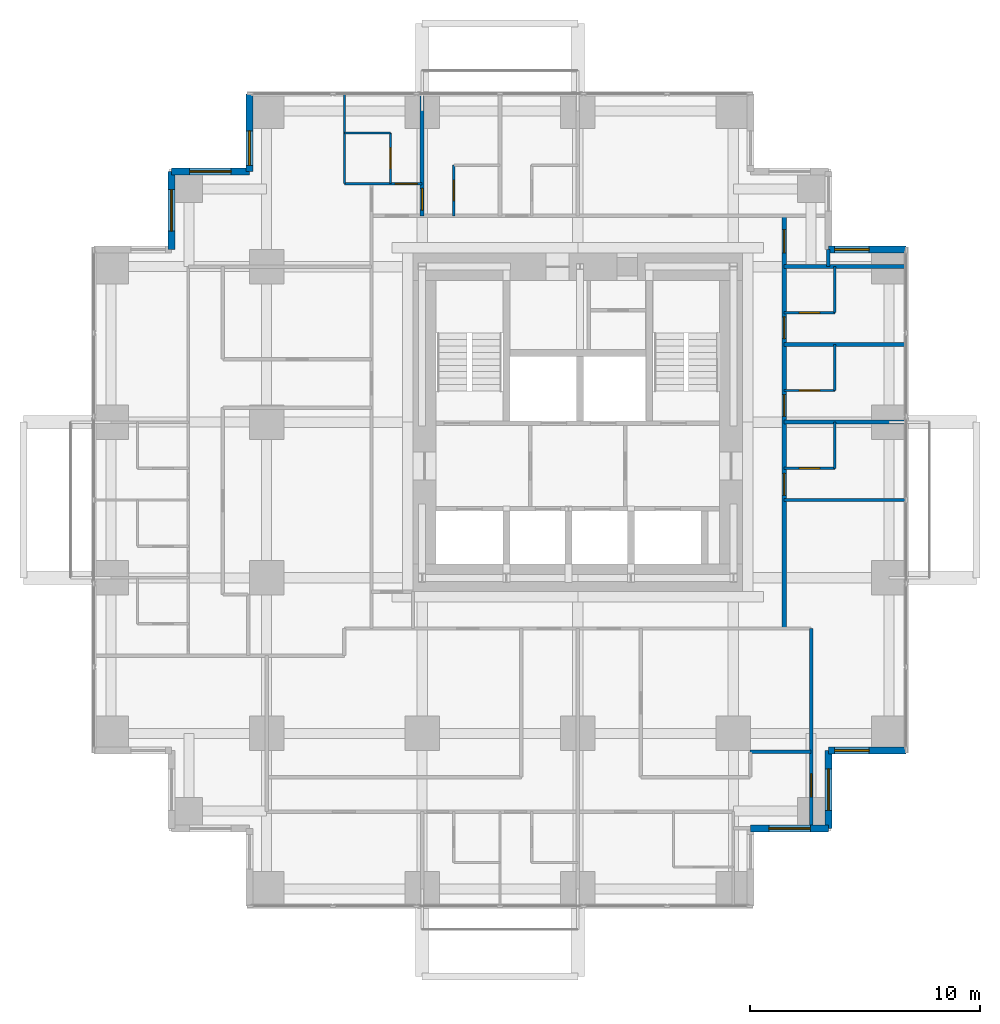
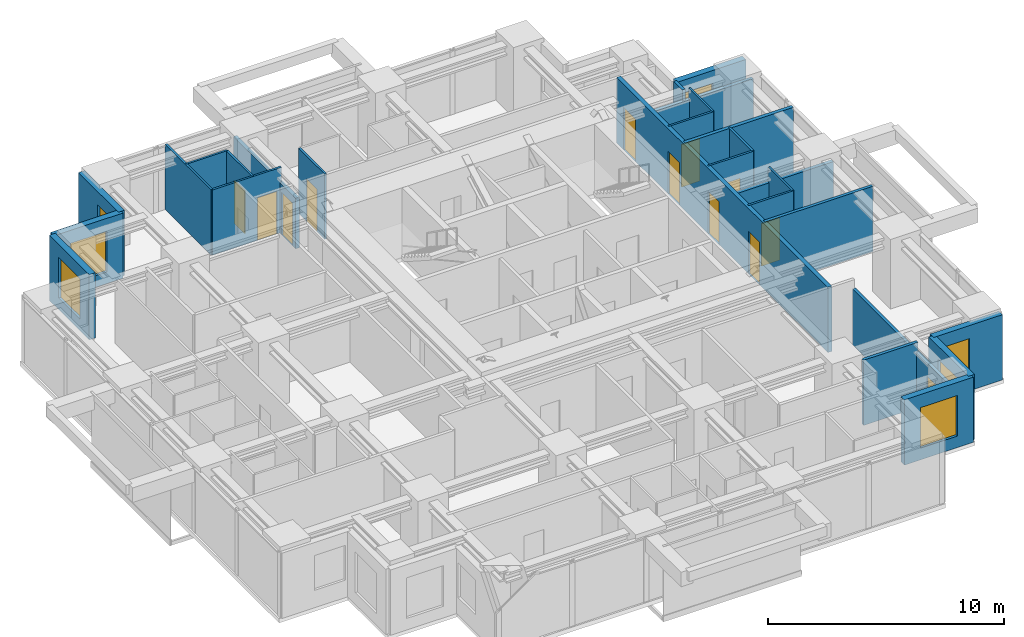
# One storey, part 8 of 10: 27 walls, 12 doors, 7 windows, 19 openings.
"""IFC4 building model written with IfcOpenShell, lengths in metres."""

from ifc_helpers import new_model, si_unit, direction, frame, frame_2d, origin, place, context, subcontext, project, spatial, rectangle, extrude, material, layer, layer_set, type_object, element, fill, save


model = new_model("IFC4")

# Units and contexts
model_context = context("Model", 3, precision=1e-05, world=origin(), true_north=direction((0.0, 1.0)))
body_context = subcontext(model_context, "Body", "Model", "MODEL_VIEW")
ifc_project = project(units=[si_unit("LENGTHUNIT", "METRE"), si_unit("AREAUNIT", "SQUARE_METRE"), si_unit("VOLUMEUNIT", "CUBIC_METRE"), si_unit("PLANEANGLEUNIT", "RADIAN"), si_unit("MASSUNIT", "GRAM", prefix="KILO")], contexts=[model_context])

# Site, building, storey
site_placement = place(None, origin())
site = spatial("IfcSite", under=ifc_project, at=site_placement, CompositionType="ELEMENT")
building_placement = place(site_placement, origin())
building = spatial("IfcBuilding", under=site, at=building_placement, Name="Nyansa Garden Tower", CompositionType="ELEMENT")
storey_placement = place(building_placement, frame((0.0, 0.0, 167.39990234375)))
storey = spatial("IfcBuildingStorey", under=building, at=storey_placement, Name="L45", CompositionType="ELEMENT", Elevation=167.39990234375)

# Wall, opening, door
ifc_material_1 = material(Name="Dense blockwork, plastered both sides, 55 dB", Category="masonry")
ifc_layer_1 = layer(ifc_material_1, 0.175048828125)
ifc_layer_set_1 = layer_set([ifc_layer_1], Name="Acoustic party wall PW175")
wall_type_1 = type_object("IfcWallType", Name="Acoustic party wall PW175", PredefinedType="PARTITIONING", material=ifc_layer_set_1)
wall_1_placement = place(storey_placement, frame((13.5, 29.199951171875, 0.0), z_axis=(0.0, 0.0, 1.0), x_axis=(0.0, 1.0, 0.0)))
wall_1 = element("IfcWall", 1, at=wall_1_placement, inside=storey, type_object=wall_type_1, Name="Party wall", PredefinedType="PARTITIONING", context=body_context, shape_type="SweptSolid", body=[
    extrude(rectangle(XDim=5.283935546875, YDim=0.175048828125, at=frame_2d((2.64208984375, 0.0))), origin(), (0.0, 0.0, 1.0), 2.610107421875),
])
opening_1_placement = place(wall_1_placement, frame((0.25, 0.0, 0.0)))
opening_1 = element("IfcOpeningElement", 2, at=opening_1_placement, cuts=wall_1, Name="Opening D14", PredefinedType="OPENING", context=body_context, shape_type="SweptSolid", body=[
    extrude(rectangle(XDim=0.949951171875, YDim=2.199951171875, at=frame_2d((0.47509765625, 1.10009765625))), frame((0.0, 0.097412109375, 0.0), z_axis=(0.0, -1.0, 0.0), x_axis=(1.0, 0.0, 0.0)), (0.0, 0.0, 1.0), 0.195068359375),
])
ifc_material_2 = material(Name="Timber flush door, 60 minute fire resisting, self-closing", Category="wood")
door_type_1 = type_object("IfcDoorType", Name="Studio entrance door D14 950x2200", OperationType="SINGLE_SWING_LEFT", PredefinedType="DOOR", material=ifc_material_2)
door_1_placement = place(opening_1_placement, origin())
door_1 = element("IfcDoor", 3, at=door_1_placement, inside=storey, type_object=door_type_1, Name="Door L45-040", OperationType="SINGLE_SWING_LEFT", OverallHeight=2.199951171875, OverallWidth=0.949951171875, PredefinedType="DOOR", context=body_context, shape_type="SweptSolid", body=[
    extrude(rectangle(XDim=0.949951171875, YDim=2.199951171875, at=frame_2d((0.47509765625, 1.10009765625))), frame((0.0, 0.02490234375, 0.0), z_axis=(0.0, -1.0, 0.0), x_axis=(1.0, 0.0, 0.0)), (0.0, 0.0, 1.0), 0.050048828125),
])
fill(opening_1, door_1)

# Walls
wall_2_placement = place(storey_placement, frame((29.199951171875, 20.25, 0.0), z_axis=(0.0, 0.0, 1.0), x_axis=(1.0, 0.0, 0.0)))
element("IfcWall", 4, at=wall_2_placement, inside=storey, type_object=wall_type_1, Name="Party wall", PredefinedType="PARTITIONING", context=body_context, shape_type="SweptSolid", body=[
    extrude(rectangle(XDim=5.283935546875, YDim=0.175048828125, at=frame_2d((2.64208984375, 0.0))), origin(), (0.0, 0.0, 1.0), 2.610107421875),
])
wall_3_placement = place(storey_placement, frame((29.199951171875, 23.625, 0.0), z_axis=(0.0, 0.0, 1.0), x_axis=(1.0, 0.0, 0.0)))
element("IfcWall", 5, at=wall_3_placement, inside=storey, type_object=wall_type_1, Name="Party wall", PredefinedType="PARTITIONING", context=body_context, shape_type="SweptSolid", body=[
    extrude(rectangle(XDim=5.283935546875, YDim=0.175048828125, at=frame_2d((2.64208984375, 0.0))), origin(), (0.0, 0.0, 1.0), 3.375),
])
wall_4_placement = place(storey_placement, frame((29.199951171875, 27.0, 0.0), z_axis=(0.0, 0.0, 1.0), x_axis=(1.0, 0.0, 0.0)))
element("IfcWall", 6, at=wall_4_placement, inside=storey, type_object=wall_type_1, Name="Party wall", PredefinedType="PARTITIONING", context=body_context, shape_type="SweptSolid", body=[
    extrude(rectangle(XDim=5.283935546875, YDim=0.175048828125, at=frame_2d((2.64208984375, 0.0))), origin(), (0.0, 0.0, 1.0), 2.80615234375),
])

# Wall, openings, doors
ifc_material_3 = material(Name="Concrete blockwork, plastered, 60 minute fire resisting", Category="masonry")
ifc_layer_2 = layer(ifc_material_3, 0.199951171875)
ifc_layer_set_2 = layer_set([ifc_layer_2], Name="Corridor wall FW200")
wall_type_2 = type_object("IfcWallType", Name="Corridor wall FW200", PredefinedType="PARTITIONING", material=ifc_layer_set_2)
wall_5_placement = place(storey_placement, frame((29.199951171875, 11.300048828125, 0.0), z_axis=(0.0, 0.0, 1.0), x_axis=(0.0, 1.0, 0.0)))
wall_5 = element("IfcWall", 7, at=wall_5_placement, inside=storey, type_object=wall_type_2, Name="Corridor wall", PredefinedType="PARTITIONING", context=body_context, shape_type="SweptSolid", body=[
    extrude(rectangle(XDim=17.89990234375, YDim=0.199951171875, at=frame_2d((8.949951171875, 0.0))), origin(), (0.0, 0.0, 1.0), 3.375),
])
opening_2_placement = place(wall_5_placement, frame((5.77490234375, 0.0, 0.0)))
opening_2 = element("IfcOpeningElement", 8, at=opening_2_placement, cuts=wall_5, Name="Opening D14", PredefinedType="OPENING", context=body_context, shape_type="SweptSolid", body=[
    extrude(rectangle(XDim=0.949951171875, YDim=2.199951171875, at=frame_2d((0.47509765625, 1.10009765625))), frame((0.0, 0.10986328125, 0.0), z_axis=(0.0, -1.0, 0.0), x_axis=(1.0, 0.0, 0.0)), (0.0, 0.0, 1.0), 0.219970703125),
])
opening_3_placement = place(wall_5_placement, frame((9.199951171875, 0.0, 0.0)))
opening_3 = element("IfcOpeningElement", 9, at=opening_3_placement, cuts=wall_5, Name="Opening D14", PredefinedType="OPENING", context=body_context, shape_type="SweptSolid", body=[
    extrude(rectangle(XDim=0.949951171875, YDim=2.199951171875, at=frame_2d((0.47509765625, 1.10009765625))), frame((0.0, 0.10986328125, 0.0), z_axis=(0.0, -1.0, 0.0), x_axis=(1.0, 0.0, 0.0)), (0.0, 0.0, 1.0), 0.219970703125),
])
opening_4_placement = place(wall_5_placement, frame((12.574951171875, 0.0, 0.0)))
opening_4 = element("IfcOpeningElement", 10, at=opening_4_placement, cuts=wall_5, Name="Opening D14", PredefinedType="OPENING", context=body_context, shape_type="SweptSolid", body=[
    extrude(rectangle(XDim=0.949951171875, YDim=2.199951171875, at=frame_2d((0.47509765625, 1.10009765625))), frame((0.0, 0.10986328125, 0.0), z_axis=(0.0, -1.0, 0.0), x_axis=(1.0, 0.0, 0.0)), (0.0, 0.0, 1.0), 0.219970703125),
])
opening_5_placement = place(wall_5_placement, frame((16.300048828125, 0.0, 0.0)))
opening_5 = element("IfcOpeningElement", 11, at=opening_5_placement, cuts=wall_5, Name="Opening D03", PredefinedType="OPENING", context=body_context, shape_type="SweptSolid", body=[
    extrude(rectangle(XDim=1.0, YDim=2.199951171875, at=frame_2d((0.5, 1.10009765625))), frame((0.0, 0.10986328125, 0.0), z_axis=(0.0, -1.0, 0.0), x_axis=(1.0, 0.0, 0.0)), (0.0, 0.0, 1.0), 0.219970703125),
])
ifc_material_4 = material(Name="Timber flush door, 60 minute fire resisting", Category="wood")
door_type_2 = type_object("IfcDoorType", Name="Cluster entrance door D03 1000x2200", OperationType="SINGLE_SWING_LEFT", PredefinedType="DOOR", material=ifc_material_4)
door_2_placement = place(opening_5_placement, origin())
door_2 = element("IfcDoor", 12, at=door_2_placement, inside=storey, type_object=door_type_2, Name="Door L45-036", OperationType="SINGLE_SWING_LEFT", OverallHeight=2.199951171875, OverallWidth=1.0, PredefinedType="DOOR", context=body_context, shape_type="SweptSolid", body=[
    extrude(rectangle(XDim=1.0, YDim=2.199951171875, at=frame_2d((0.5, 1.10009765625))), frame((0.0, 0.02490234375, 0.0), z_axis=(0.0, -1.0, 0.0), x_axis=(1.0, 0.0, 0.0)), (0.0, 0.0, 1.0), 0.050048828125),
])
fill(opening_5, door_2)
door_3_placement = place(opening_2_placement, origin())
door_3 = element("IfcDoor", 13, at=door_3_placement, inside=storey, type_object=door_type_1, Name="Door L45-030", OperationType="SINGLE_SWING_LEFT", OverallHeight=2.199951171875, OverallWidth=0.949951171875, PredefinedType="DOOR", context=body_context, shape_type="SweptSolid", body=[
    extrude(rectangle(XDim=0.949951171875, YDim=2.199951171875, at=frame_2d((0.47509765625, 1.10009765625))), frame((0.0, 0.02490234375, 0.0), z_axis=(0.0, -1.0, 0.0), x_axis=(1.0, 0.0, 0.0)), (0.0, 0.0, 1.0), 0.050048828125),
])
fill(opening_2, door_3)
door_4_placement = place(opening_3_placement, origin())
door_4 = element("IfcDoor", 14, at=door_4_placement, inside=storey, type_object=door_type_1, Name="Door L45-032", OperationType="SINGLE_SWING_LEFT", OverallHeight=2.199951171875, OverallWidth=0.949951171875, PredefinedType="DOOR", context=body_context, shape_type="SweptSolid", body=[
    extrude(rectangle(XDim=0.949951171875, YDim=2.199951171875, at=frame_2d((0.47509765625, 1.10009765625))), frame((0.0, 0.02490234375, 0.0), z_axis=(0.0, -1.0, 0.0), x_axis=(1.0, 0.0, 0.0)), (0.0, 0.0, 1.0), 0.050048828125),
])
fill(opening_3, door_4)
door_5_placement = place(opening_4_placement, origin())
door_5 = element("IfcDoor", 15, at=door_5_placement, inside=storey, type_object=door_type_1, Name="Door L45-034", OperationType="SINGLE_SWING_LEFT", OverallHeight=2.199951171875, OverallWidth=0.949951171875, PredefinedType="DOOR", context=body_context, shape_type="SweptSolid", body=[
    extrude(rectangle(XDim=0.949951171875, YDim=2.199951171875, at=frame_2d((0.47509765625, 1.10009765625))), frame((0.0, 0.02490234375, 0.0), z_axis=(0.0, -1.0, 0.0), x_axis=(1.0, 0.0, 0.0)), (0.0, 0.0, 1.0), 0.050048828125),
])
fill(opening_4, door_5)

# Walls
ifc_material_5 = material(Name="Blockwork, plastered both sides", Category="masonry")
ifc_layer_3 = layer(ifc_material_5, 0.14990234375)
ifc_layer_set_3 = layer_set([ifc_layer_3], Name="Partition PW150")
wall_type_3 = type_object("IfcWallType", Name="Partition PW150", PredefinedType="PARTITIONING", material=ifc_layer_set_3)
wall_6_placement = place(storey_placement, frame((27.72509765625, 5.949951171875, 0.0), z_axis=(0.0, 0.0, 1.0), x_axis=(1.0, 0.0, 0.0)))
element("IfcWall", 16, at=wall_6_placement, inside=storey, type_object=wall_type_3, Name="Partition", PredefinedType="PARTITIONING", context=body_context, shape_type="SweptSolid", body=[
    extrude(rectangle(XDim=2.64990234375, YDim=0.14990234375, at=frame_2d((1.324951171875, 0.0))), origin(), (0.0, 0.0, 1.0), 3.375),
])
wall_7_placement = place(storey_placement, frame((29.199951171875, 16.875, 0.0), z_axis=(0.0, 0.0, 1.0), x_axis=(1.0, 0.0, 0.0)))
element("IfcWall", 17, at=wall_7_placement, inside=storey, type_object=wall_type_3, Name="Partition", PredefinedType="PARTITIONING", context=body_context, shape_type="SweptSolid", body=[
    extrude(rectangle(XDim=5.283935546875, YDim=0.14990234375, at=frame_2d((2.64208984375, 0.0))), origin(), (0.0, 0.0, 1.0), 3.375),
])

# Wall, opening, door
wall_8_placement = place(storey_placement, frame((30.375, 2.77490234375, 0.0), z_axis=(0.0, 0.0, 1.0), x_axis=(0.0, 1.0, 0.0)))
wall_8 = element("IfcWall", 18, at=wall_8_placement, inside=storey, type_object=wall_type_3, Name="Partition", PredefinedType="PARTITIONING", context=body_context, shape_type="SweptSolid", body=[
    extrude(rectangle(XDim=8.525146484375, YDim=0.14990234375, at=frame_2d((4.2626953125, 0.0))), origin(), (0.0, 0.0, 1.0), 2.877197265625),
])
opening_6_placement = place(wall_8_placement, frame((1.216064453125, 0.0, 0.0)))
opening_6 = element("IfcOpeningElement", 19, at=opening_6_placement, cuts=wall_8, Name="Opening D03", PredefinedType="OPENING", context=body_context, shape_type="SweptSolid", body=[
    extrude(rectangle(XDim=1.0, YDim=2.199951171875, at=frame_2d((0.5, 1.10009765625))), frame((0.0, 0.0849609375, 0.0), z_axis=(0.0, -1.0, 0.0), x_axis=(1.0, 0.0, 0.0)), (0.0, 0.0, 1.0), 0.169921875),
])
door_6_placement = place(opening_6_placement, origin())
door_6 = element("IfcDoor", 20, at=door_6_placement, inside=storey, type_object=door_type_2, Name="Door L45-029", OperationType="SINGLE_SWING_LEFT", OverallHeight=2.199951171875, OverallWidth=1.0, PredefinedType="DOOR", context=body_context, shape_type="SweptSolid", body=[
    extrude(rectangle(XDim=1.0, YDim=2.199951171875, at=frame_2d((0.5, 1.10009765625))), frame((0.0, 0.02490234375, 0.0), z_axis=(0.0, -1.0, 0.0), x_axis=(1.0, 0.0, 0.0)), (0.0, 0.0, 1.0), 0.050048828125),
])
fill(opening_6, door_6)

# Wall
wall_9_placement = place(storey_placement, frame((31.125, 27.0, 0.0), z_axis=(0.0, 0.0, 1.0), x_axis=(0.0, 1.0, 0.0)))
element("IfcWall", 21, at=wall_9_placement, inside=storey, type_object=wall_type_3, Name="Partition", PredefinedType="PARTITIONING", context=body_context, shape_type="SweptSolid", body=[
    extrude(rectangle(XDim=0.73388671875, YDim=0.14990234375, at=frame_2d((0.366943359375, 0.0))), origin(), (0.0, 0.0, 1.0), 3.375),
])

# Wall, opening, window
ifc_material_6 = material(Name="Turquoise glazed tile on concrete blockwork", Category="masonry")
ifc_layer_4 = layer(ifc_material_6, 0.300048828125)
ifc_layer_set_4 = layer_set([ifc_layer_4], Name="Tiled corner wall TW300")
wall_type_4 = type_object("IfcWallType", Name="Tiled corner wall TW300", PredefinedType="SOLIDWALL", material=ifc_layer_set_4)
wall_10_placement = place(storey_placement, frame((34.5, 27.75, 0.0), z_axis=(0.0, 0.0, 1.0), x_axis=(-1.0, 0.0, 0.0)))
wall_10 = element("IfcWall", 22, at=wall_10_placement, inside=storey, type_object=wall_type_4, Name="Tiled corner wall L45", PredefinedType="SOLIDWALL", context=body_context, shape_type="SweptSolid", body=[
    extrude(rectangle(XDim=3.375, YDim=0.300048828125, at=frame_2d((1.6875, 0.0))), origin(), (0.0, 0.0, 1.0), 3.375),
])
opening_7_placement = place(wall_10_placement, frame((1.607421875, 0.0, 0.89990234375)))
opening_7 = element("IfcOpeningElement", 23, at=opening_7_placement, cuts=wall_10, Name="Opening W1", PredefinedType="OPENING", context=body_context, shape_type="SweptSolid", body=[
    extrude(rectangle(XDim=1.5, YDim=1.800048828125, at=frame_2d((0.75, 0.89990234375))), frame((0.0, 0.159912109375, 0.0), z_axis=(0.0, -1.0, 0.0), x_axis=(1.0, 0.0, 0.0)), (0.0, 0.0, 1.0), 0.320068359375),
])
ifc_material_7 = material(Name="Black aluminium frame, dark tinted double glazing", Category="aluminium")
window_type_1 = type_object("IfcWindowType", Name="Window W1 1500x1800", PartitioningType="SINGLE_PANEL", PredefinedType="WINDOW", material=ifc_material_7)
window_1_placement = place(opening_7_placement, origin())
window_1 = element("IfcWindow", 24, at=window_1_placement, inside=storey, type_object=window_type_1, Name="Corner window L45", OverallHeight=1.800048828125, OverallWidth=1.5, PartitioningType="SINGLE_PANEL", PredefinedType="WINDOW", context=body_context, shape_type="SweptSolid", body=[
    extrude(rectangle(XDim=1.5, YDim=1.800048828125, at=frame_2d((0.75, 0.89990234375))), frame((0.0, 0.030029296875, 0.0), z_axis=(0.0, -1.0, 0.0), x_axis=(1.0, 0.0, 0.0)), (0.0, 0.0, 1.0), 0.06005859375),
])
fill(opening_7, window_1)

wall_11_placement = place(storey_placement, frame((6.0, 34.5, 0.0), z_axis=(0.0, 0.0, 1.0), x_axis=(0.0, -1.0, 0.0)))
wall_11 = element("IfcWall", 25, at=wall_11_placement, inside=storey, type_object=wall_type_4, Name="Tiled corner wall L45", PredefinedType="SOLIDWALL", context=body_context, shape_type="SweptSolid", body=[
    extrude(rectangle(XDim=3.375, YDim=0.300048828125, at=frame_2d((1.6875, 0.0))), origin(), (0.0, 0.0, 1.0), 3.375),
])
opening_8_placement = place(wall_11_placement, frame((1.607421875, 0.0, 0.89990234375)))
opening_8 = element("IfcOpeningElement", 26, at=opening_8_placement, cuts=wall_11, Name="Opening W1", PredefinedType="OPENING", context=body_context, shape_type="SweptSolid", body=[
    extrude(rectangle(XDim=1.5, YDim=1.800048828125, at=frame_2d((0.75, 0.89990234375))), frame((0.0, 0.159912109375, 0.0), z_axis=(0.0, -1.0, 0.0), x_axis=(1.0, 0.0, 0.0)), (0.0, 0.0, 1.0), 0.320068359375),
])
window_2_placement = place(opening_8_placement, origin())
window_2 = element("IfcWindow", 27, at=window_2_placement, inside=storey, type_object=window_type_1, Name="Corner window L45", OverallHeight=1.800048828125, OverallWidth=1.5, PartitioningType="SINGLE_PANEL", PredefinedType="WINDOW", context=body_context, shape_type="SweptSolid", body=[
    extrude(rectangle(XDim=1.5, YDim=1.800048828125, at=frame_2d((0.75, 0.89990234375))), frame((0.0, 0.030029296875, 0.0), z_axis=(0.0, -1.0, 0.0), x_axis=(1.0, 0.0, 0.0)), (0.0, 0.0, 1.0), 0.06005859375),
])
fill(opening_8, window_2)

wall_12_placement = place(storey_placement, frame((6.0, 31.125, 0.0), z_axis=(0.0, 0.0, 1.0), x_axis=(-1.0, 0.0, 0.0)))
wall_12 = element("IfcWall", 28, at=wall_12_placement, inside=storey, type_object=wall_type_4, Name="Tiled corner wall L45", PredefinedType="SOLIDWALL", context=body_context, shape_type="SweptSolid", body=[
    extrude(rectangle(XDim=3.375, YDim=0.300048828125, at=frame_2d((1.6875, 0.0))), origin(), (0.0, 0.0, 1.0), 3.375),
])
opening_9_placement = place(wall_12_placement, frame((0.78759765625, 0.0, 0.60009765625)))
opening_9 = element("IfcOpeningElement", 29, at=opening_9_placement, cuts=wall_12, Name="Opening W2", PredefinedType="OPENING", context=body_context, shape_type="SweptSolid", body=[
    extrude(rectangle(XDim=1.800048828125, YDim=2.10009765625, at=frame_2d((0.89990234375, 1.050048828125))), frame((0.0, 0.159912109375, 0.0), z_axis=(0.0, -1.0, 0.0), x_axis=(1.0, 0.0, 0.0)), (0.0, 0.0, 1.0), 0.320068359375),
])
ifc_material_8 = material(Name="Black aluminium frame, dark tinted double glazing", Category="aluminium")
window_type_2 = type_object("IfcWindowType", Name="Window W2 1800x2100", PartitioningType="SINGLE_PANEL", PredefinedType="WINDOW", material=ifc_material_8)
window_3_placement = place(opening_9_placement, origin())
window_3 = element("IfcWindow", 30, at=window_3_placement, inside=storey, type_object=window_type_2, Name="Corner window L45", OverallHeight=2.10009765625, OverallWidth=1.800048828125, PartitioningType="SINGLE_PANEL", PredefinedType="WINDOW", context=body_context, shape_type="SweptSolid", body=[
    extrude(rectangle(XDim=1.800048828125, YDim=2.10009765625, at=frame_2d((0.89990234375, 1.050048828125))), frame((0.0, 0.030029296875, 0.0), z_axis=(0.0, -1.0, 0.0), x_axis=(1.0, 0.0, 0.0)), (0.0, 0.0, 1.0), 0.06005859375),
])
fill(opening_9, window_3)

wall_13_placement = place(storey_placement, frame((2.625, 31.125, 0.0), z_axis=(0.0, 0.0, 1.0), x_axis=(0.0, -1.0, 0.0)))
wall_13 = element("IfcWall", 31, at=wall_13_placement, inside=storey, type_object=wall_type_4, Name="Tiled corner wall L45", PredefinedType="SOLIDWALL", context=body_context, shape_type="SweptSolid", body=[
    extrude(rectangle(XDim=3.375, YDim=0.300048828125, at=frame_2d((1.6875, 0.0))), origin(), (0.0, 0.0, 1.0), 3.375),
])
opening_10_placement = place(wall_13_placement, frame((0.78759765625, 0.0, 0.60009765625)))
opening_10 = element("IfcOpeningElement", 32, at=opening_10_placement, cuts=wall_13, Name="Opening W2", PredefinedType="OPENING", context=body_context, shape_type="SweptSolid", body=[
    extrude(rectangle(XDim=1.800048828125, YDim=2.10009765625, at=frame_2d((0.89990234375, 1.050048828125))), frame((0.0, 0.159912109375, 0.0), z_axis=(0.0, -1.0, 0.0), x_axis=(1.0, 0.0, 0.0)), (0.0, 0.0, 1.0), 0.320068359375),
])
window_4_placement = place(opening_10_placement, origin())
window_4 = element("IfcWindow", 33, at=window_4_placement, inside=storey, type_object=window_type_2, Name="Corner window L45", OverallHeight=2.10009765625, OverallWidth=1.800048828125, PartitioningType="SINGLE_PANEL", PredefinedType="WINDOW", context=body_context, shape_type="SweptSolid", body=[
    extrude(rectangle(XDim=1.800048828125, YDim=2.10009765625, at=frame_2d((0.89990234375, 1.050048828125))), frame((0.0, 0.030029296875, 0.0), z_axis=(0.0, -1.0, 0.0), x_axis=(1.0, 0.0, 0.0)), (0.0, 0.0, 1.0), 0.06005859375),
])
fill(opening_10, window_4)

wall_14_placement = place(storey_placement, frame((27.75, 2.625, 0.0), z_axis=(0.0, 0.0, 1.0), x_axis=(1.0, 0.0, 0.0)))
wall_14 = element("IfcWall", 34, at=wall_14_placement, inside=storey, type_object=wall_type_4, Name="Tiled corner wall L45", PredefinedType="SOLIDWALL", context=body_context, shape_type="SweptSolid", body=[
    extrude(rectangle(XDim=3.375, YDim=0.300048828125, at=frame_2d((1.6875, 0.0))), origin(), (0.0, 0.0, 1.0), 3.375),
])
opening_11_placement = place(wall_14_placement, frame((0.78759765625, 0.0, 0.60009765625)))
opening_11 = element("IfcOpeningElement", 35, at=opening_11_placement, cuts=wall_14, Name="Opening W2", PredefinedType="OPENING", context=body_context, shape_type="SweptSolid", body=[
    extrude(rectangle(XDim=1.800048828125, YDim=2.10009765625, at=frame_2d((0.89990234375, 1.050048828125))), frame((0.0, 0.159912109375, 0.0), z_axis=(0.0, -1.0, 0.0), x_axis=(1.0, 0.0, 0.0)), (0.0, 0.0, 1.0), 0.320068359375),
])
window_5_placement = place(opening_11_placement, origin())
window_5 = element("IfcWindow", 36, at=window_5_placement, inside=storey, type_object=window_type_2, Name="Corner window L45", OverallHeight=2.10009765625, OverallWidth=1.800048828125, PartitioningType="SINGLE_PANEL", PredefinedType="WINDOW", context=body_context, shape_type="SweptSolid", body=[
    extrude(rectangle(XDim=1.800048828125, YDim=2.10009765625, at=frame_2d((0.89990234375, 1.050048828125))), frame((0.0, 0.030029296875, 0.0), z_axis=(0.0, -1.0, 0.0), x_axis=(1.0, 0.0, 0.0)), (0.0, 0.0, 1.0), 0.06005859375),
])
fill(opening_11, window_5)

wall_15_placement = place(storey_placement, frame((31.125, 2.625, 0.0), z_axis=(0.0, 0.0, 1.0), x_axis=(0.0, 1.0, 0.0)))
wall_15 = element("IfcWall", 37, at=wall_15_placement, inside=storey, type_object=wall_type_4, Name="Tiled corner wall L45", PredefinedType="SOLIDWALL", context=body_context, shape_type="SweptSolid", body=[
    extrude(rectangle(XDim=3.375, YDim=0.300048828125, at=frame_2d((1.6875, 0.0))), origin(), (0.0, 0.0, 1.0), 3.375),
])
opening_12_placement = place(wall_15_placement, frame((0.78759765625, 0.0, 0.60009765625)))
opening_12 = element("IfcOpeningElement", 38, at=opening_12_placement, cuts=wall_15, Name="Opening W2", PredefinedType="OPENING", context=body_context, shape_type="SweptSolid", body=[
    extrude(rectangle(XDim=1.800048828125, YDim=2.10009765625, at=frame_2d((0.89990234375, 1.050048828125))), frame((0.0, 0.159912109375, 0.0), z_axis=(0.0, -1.0, 0.0), x_axis=(1.0, 0.0, 0.0)), (0.0, 0.0, 1.0), 0.320068359375),
])
window_6_placement = place(opening_12_placement, origin())
window_6 = element("IfcWindow", 39, at=window_6_placement, inside=storey, type_object=window_type_2, Name="Corner window L45", OverallHeight=2.10009765625, OverallWidth=1.800048828125, PartitioningType="SINGLE_PANEL", PredefinedType="WINDOW", context=body_context, shape_type="SweptSolid", body=[
    extrude(rectangle(XDim=1.800048828125, YDim=2.10009765625, at=frame_2d((0.89990234375, 1.050048828125))), frame((0.0, 0.030029296875, 0.0), z_axis=(0.0, -1.0, 0.0), x_axis=(1.0, 0.0, 0.0)), (0.0, 0.0, 1.0), 0.06005859375),
])
fill(opening_12, window_6)

wall_16_placement = place(storey_placement, frame((31.125, 6.0, 0.0), z_axis=(0.0, 0.0, 1.0), x_axis=(1.0, 0.0, 0.0)))
wall_16 = element("IfcWall", 40, at=wall_16_placement, inside=storey, type_object=wall_type_4, Name="Tiled corner wall L45", PredefinedType="SOLIDWALL", context=body_context, shape_type="SweptSolid", body=[
    extrude(rectangle(XDim=3.375, YDim=0.300048828125, at=frame_2d((1.6875, 0.0))), origin(), (0.0, 0.0, 1.0), 3.375),
])
opening_13_placement = place(wall_16_placement, frame((0.267578125, 0.0, 0.89990234375)))
opening_13 = element("IfcOpeningElement", 41, at=opening_13_placement, cuts=wall_16, Name="Opening W1", PredefinedType="OPENING", context=body_context, shape_type="SweptSolid", body=[
    extrude(rectangle(XDim=1.5, YDim=1.800048828125, at=frame_2d((0.75, 0.89990234375))), frame((0.0, 0.159912109375, 0.0), z_axis=(0.0, -1.0, 0.0), x_axis=(1.0, 0.0, 0.0)), (0.0, 0.0, 1.0), 0.320068359375),
])
window_7_placement = place(opening_13_placement, origin())
window_7 = element("IfcWindow", 42, at=window_7_placement, inside=storey, type_object=window_type_1, Name="Corner window L45", OverallHeight=1.800048828125, OverallWidth=1.5, PartitioningType="SINGLE_PANEL", PredefinedType="WINDOW", context=body_context, shape_type="SweptSolid", body=[
    extrude(rectangle(XDim=1.5, YDim=1.800048828125, at=frame_2d((0.75, 0.89990234375))), frame((0.0, 0.030029296875, 0.0), z_axis=(0.0, -1.0, 0.0), x_axis=(1.0, 0.0, 0.0)), (0.0, 0.0, 1.0), 0.06005859375),
])
fill(opening_13, window_7)

# Wall
ifc_material_9 = material(Name="Moisture resistant board on steel studs, tiled", Category="steel")
ifc_layer_5 = layer(ifc_material_9, 0.10009765625)
ifc_layer_set_5 = layer_set([ifc_layer_5], Name="Wet wall PW100")
wall_type_5 = type_object("IfcWallType", Name="Wet wall PW100", PredefinedType="PARTITIONING", material=ifc_layer_set_5)
wall_17_placement = place(storey_placement, frame((10.125, 30.60009765625, 0.0), z_axis=(0.0, 0.0, 1.0), x_axis=(0.0, 1.0, 0.0)))
element("IfcWall", 43, at=wall_17_placement, inside=storey, type_object=wall_type_5, Name="Wet wall", PredefinedType="PARTITIONING", context=body_context, shape_type="SweptSolid", body=[
    extrude(rectangle(XDim=3.8837890625, YDim=0.10009765625, at=frame_2d((1.94189453125, 0.0))), origin(), (0.0, 0.0, 1.0), 3.375),
])

# Wall, opening, door
wall_18_placement = place(storey_placement, frame((10.125, 30.60009765625, 0.0), z_axis=(0.0, 0.0, 1.0), x_axis=(1.0, 0.0, 0.0)))
wall_18 = element("IfcWall", 44, at=wall_18_placement, inside=storey, type_object=wall_type_5, Name="Wet wall", PredefinedType="PARTITIONING", context=body_context, shape_type="SweptSolid", body=[
    extrude(rectangle(XDim=3.375, YDim=0.10009765625, at=frame_2d((1.6875, 0.0))), origin(), (0.0, 0.0, 1.0), 3.375),
])
opening_14_placement = place(wall_18_placement, frame((2.199951171875, 0.0, 0.0)))
opening_14 = element("IfcOpeningElement", 45, at=opening_14_placement, cuts=wall_18, Name="Opening D14", PredefinedType="OPENING", context=body_context, shape_type="SweptSolid", body=[
    extrude(rectangle(XDim=0.949951171875, YDim=2.199951171875, at=frame_2d((0.47509765625, 1.10009765625))), frame((0.0, 0.06005859375, 0.0), z_axis=(0.0, -1.0, 0.0), x_axis=(1.0, 0.0, 0.0)), (0.0, 0.0, 1.0), 0.1201171875),
])
door_7_placement = place(opening_14_placement, origin())
door_7 = element("IfcDoor", 46, at=door_7_placement, inside=storey, type_object=door_type_1, Name="Door L45-038", OperationType="SINGLE_SWING_LEFT", OverallHeight=2.199951171875, OverallWidth=0.949951171875, PredefinedType="DOOR", context=body_context, shape_type="SweptSolid", body=[
    extrude(rectangle(XDim=0.949951171875, YDim=2.199951171875, at=frame_2d((0.47509765625, 1.10009765625))), frame((0.0, 0.02490234375, 0.0), z_axis=(0.0, -1.0, 0.0), x_axis=(1.0, 0.0, 0.0)), (0.0, 0.0, 1.0), 0.050048828125),
])
fill(opening_14, door_7)

# Wall
wall_19_placement = place(storey_placement, frame((10.125, 32.800048828125, 0.0), z_axis=(0.0, 0.0, 1.0), x_axis=(1.0, 0.0, 0.0)))
element("IfcWall", 47, at=wall_19_placement, inside=storey, type_object=wall_type_5, Name="Wet wall", PredefinedType="PARTITIONING", context=body_context, shape_type="SweptSolid", body=[
    extrude(rectangle(XDim=2.0, YDim=0.10009765625, at=frame_2d((1.0, 0.0))), origin(), (0.0, 0.0, 1.0), 3.375),
])

# Wall, opening, door
wall_20_placement = place(storey_placement, frame((12.125, 30.60009765625, 0.0), z_axis=(0.0, 0.0, 1.0), x_axis=(0.0, 1.0, 0.0)))
wall_20 = element("IfcWall", 48, at=wall_20_placement, inside=storey, type_object=wall_type_5, Name="Wet wall", PredefinedType="PARTITIONING", context=body_context, shape_type="SweptSolid", body=[
    extrude(rectangle(XDim=2.199951171875, YDim=0.10009765625, at=frame_2d((1.10009765625, 0.0))), origin(), (0.0, 0.0, 1.0), 3.375),
])
opening_15_placement = place(wall_20_placement, frame((0.64990234375, 0.0, 0.0)))
opening_15 = element("IfcOpeningElement", 49, at=opening_15_placement, cuts=wall_20, Name="Opening D02", PredefinedType="OPENING", context=body_context, shape_type="SweptSolid", body=[
    extrude(rectangle(XDim=0.89990234375, YDim=2.199951171875, at=frame_2d((0.449951171875, 1.10009765625))), frame((0.0, 0.06005859375, 0.0), z_axis=(0.0, -1.0, 0.0), x_axis=(1.0, 0.0, 0.0)), (0.0, 0.0, 1.0), 0.1201171875),
])
ifc_material_10 = material(Name="Timber flush door", Category="wood")
door_type_3 = type_object("IfcDoorType", Name="En-suite door D02 900x2200", OperationType="SINGLE_SWING_RIGHT", PredefinedType="DOOR", material=ifc_material_10)
door_8_placement = place(opening_15_placement, origin())
door_8 = element("IfcDoor", 50, at=door_8_placement, inside=storey, type_object=door_type_3, Name="Door L45-039", OperationType="SINGLE_SWING_RIGHT", OverallHeight=2.199951171875, OverallWidth=0.89990234375, PredefinedType="DOOR", context=body_context, shape_type="SweptSolid", body=[
    extrude(rectangle(XDim=0.89990234375, YDim=2.199951171875, at=frame_2d((0.449951171875, 1.10009765625))), frame((0.0, 0.02490234375, 0.0), z_axis=(0.0, -1.0, 0.0), x_axis=(1.0, 0.0, 0.0)), (0.0, 0.0, 1.0), 0.050048828125),
])
fill(opening_15, door_8)

wall_21_placement = place(storey_placement, frame((14.875, 29.199951171875, 0.0), z_axis=(0.0, 0.0, 1.0), x_axis=(0.0, 1.0, 0.0)))
wall_21 = element("IfcWall", 51, at=wall_21_placement, inside=storey, type_object=wall_type_5, Name="Wet wall", PredefinedType="PARTITIONING", context=body_context, shape_type="SweptSolid", body=[
    extrude(rectangle(XDim=2.199951171875, YDim=0.10009765625, at=frame_2d((1.10009765625, 0.0))), origin(), (0.0, 0.0, 1.0), 3.375),
])
opening_16_placement = place(wall_21_placement, frame((0.64990234375, 0.0, 0.0)))
opening_16 = element("IfcOpeningElement", 52, at=opening_16_placement, cuts=wall_21, Name="Opening D02", PredefinedType="OPENING", context=body_context, shape_type="SweptSolid", body=[
    extrude(rectangle(XDim=0.89990234375, YDim=2.199951171875, at=frame_2d((0.449951171875, 1.10009765625))), frame((0.0, 0.06005859375, 0.0), z_axis=(0.0, -1.0, 0.0), x_axis=(1.0, 0.0, 0.0)), (0.0, 0.0, 1.0), 0.1201171875),
])
door_9_placement = place(opening_16_placement, origin())
door_9 = element("IfcDoor", 53, at=door_9_placement, inside=storey, type_object=door_type_3, Name="Door L45-041", OperationType="SINGLE_SWING_RIGHT", OverallHeight=2.199951171875, OverallWidth=0.89990234375, PredefinedType="DOOR", context=body_context, shape_type="SweptSolid", body=[
    extrude(rectangle(XDim=0.89990234375, YDim=2.199951171875, at=frame_2d((0.449951171875, 1.10009765625))), frame((0.0, 0.02490234375, 0.0), z_axis=(0.0, -1.0, 0.0), x_axis=(1.0, 0.0, 0.0)), (0.0, 0.0, 1.0), 0.050048828125),
])
fill(opening_16, door_9)

wall_22_placement = place(storey_placement, frame((29.199951171875, 18.25, 0.0), z_axis=(0.0, 0.0, 1.0), x_axis=(1.0, 0.0, 0.0)))
wall_22 = element("IfcWall", 54, at=wall_22_placement, inside=storey, type_object=wall_type_5, Name="Wet wall", PredefinedType="PARTITIONING", context=body_context, shape_type="SweptSolid", body=[
    extrude(rectangle(XDim=2.199951171875, YDim=0.10009765625, at=frame_2d((1.10009765625, 0.0))), origin(), (0.0, 0.0, 1.0), 3.375),
])
opening_17_placement = place(wall_22_placement, frame((0.64990234375, 0.0, 0.0)))
opening_17 = element("IfcOpeningElement", 55, at=opening_17_placement, cuts=wall_22, Name="Opening D02", PredefinedType="OPENING", context=body_context, shape_type="SweptSolid", body=[
    extrude(rectangle(XDim=0.89990234375, YDim=2.199951171875, at=frame_2d((0.449951171875, 1.10009765625))), frame((0.0, 0.06005859375, 0.0), z_axis=(0.0, -1.0, 0.0), x_axis=(1.0, 0.0, 0.0)), (0.0, 0.0, 1.0), 0.1201171875),
])
door_10_placement = place(opening_17_placement, origin())
door_10 = element("IfcDoor", 56, at=door_10_placement, inside=storey, type_object=door_type_3, Name="Door L45-031", OperationType="SINGLE_SWING_RIGHT", OverallHeight=2.199951171875, OverallWidth=0.89990234375, PredefinedType="DOOR", context=body_context, shape_type="SweptSolid", body=[
    extrude(rectangle(XDim=0.89990234375, YDim=2.199951171875, at=frame_2d((0.449951171875, 1.10009765625))), frame((0.0, 0.02490234375, 0.0), z_axis=(0.0, -1.0, 0.0), x_axis=(1.0, 0.0, 0.0)), (0.0, 0.0, 1.0), 0.050048828125),
])
fill(opening_17, door_10)

wall_23_placement = place(storey_placement, frame((29.199951171875, 21.625, 0.0), z_axis=(0.0, 0.0, 1.0), x_axis=(1.0, 0.0, 0.0)))
wall_23 = element("IfcWall", 57, at=wall_23_placement, inside=storey, type_object=wall_type_5, Name="Wet wall", PredefinedType="PARTITIONING", context=body_context, shape_type="SweptSolid", body=[
    extrude(rectangle(XDim=2.199951171875, YDim=0.10009765625, at=frame_2d((1.10009765625, 0.0))), origin(), (0.0, 0.0, 1.0), 3.375),
])
opening_18_placement = place(wall_23_placement, frame((0.64990234375, 0.0, 0.0)))
opening_18 = element("IfcOpeningElement", 58, at=opening_18_placement, cuts=wall_23, Name="Opening D02", PredefinedType="OPENING", context=body_context, shape_type="SweptSolid", body=[
    extrude(rectangle(XDim=0.89990234375, YDim=2.199951171875, at=frame_2d((0.449951171875, 1.10009765625))), frame((0.0, 0.06005859375, 0.0), z_axis=(0.0, -1.0, 0.0), x_axis=(1.0, 0.0, 0.0)), (0.0, 0.0, 1.0), 0.1201171875),
])
door_11_placement = place(opening_18_placement, origin())
door_11 = element("IfcDoor", 59, at=door_11_placement, inside=storey, type_object=door_type_3, Name="Door L45-033", OperationType="SINGLE_SWING_RIGHT", OverallHeight=2.199951171875, OverallWidth=0.89990234375, PredefinedType="DOOR", context=body_context, shape_type="SweptSolid", body=[
    extrude(rectangle(XDim=0.89990234375, YDim=2.199951171875, at=frame_2d((0.449951171875, 1.10009765625))), frame((0.0, 0.02490234375, 0.0), z_axis=(0.0, -1.0, 0.0), x_axis=(1.0, 0.0, 0.0)), (0.0, 0.0, 1.0), 0.050048828125),
])
fill(opening_18, door_11)

wall_24_placement = place(storey_placement, frame((29.199951171875, 25.0, 0.0), z_axis=(0.0, 0.0, 1.0), x_axis=(1.0, 0.0, 0.0)))
wall_24 = element("IfcWall", 60, at=wall_24_placement, inside=storey, type_object=wall_type_5, Name="Wet wall", PredefinedType="PARTITIONING", context=body_context, shape_type="SweptSolid", body=[
    extrude(rectangle(XDim=2.199951171875, YDim=0.10009765625, at=frame_2d((1.10009765625, 0.0))), origin(), (0.0, 0.0, 1.0), 3.375),
])
opening_19_placement = place(wall_24_placement, frame((0.64990234375, 0.0, 0.0)))
opening_19 = element("IfcOpeningElement", 61, at=opening_19_placement, cuts=wall_24, Name="Opening D02", PredefinedType="OPENING", context=body_context, shape_type="SweptSolid", body=[
    extrude(rectangle(XDim=0.89990234375, YDim=2.199951171875, at=frame_2d((0.449951171875, 1.10009765625))), frame((0.0, 0.06005859375, 0.0), z_axis=(0.0, -1.0, 0.0), x_axis=(1.0, 0.0, 0.0)), (0.0, 0.0, 1.0), 0.1201171875),
])
door_12_placement = place(opening_19_placement, origin())
door_12 = element("IfcDoor", 62, at=door_12_placement, inside=storey, type_object=door_type_3, Name="Door L45-035", OperationType="SINGLE_SWING_RIGHT", OverallHeight=2.199951171875, OverallWidth=0.89990234375, PredefinedType="DOOR", context=body_context, shape_type="SweptSolid", body=[
    extrude(rectangle(XDim=0.89990234375, YDim=2.199951171875, at=frame_2d((0.449951171875, 1.10009765625))), frame((0.0, 0.02490234375, 0.0), z_axis=(0.0, -1.0, 0.0), x_axis=(1.0, 0.0, 0.0)), (0.0, 0.0, 1.0), 0.050048828125),
])
fill(opening_19, door_12)

# Walls
for number, where, z_axis, x_axis, name in (
    (63, (31.39990234375, 18.25, 0.0), (0.0, 0.0, 1.0), (0.0, 1.0, 0.0), "Wet wall"),
    (64, (31.39990234375, 21.625, 0.0), (0.0, 0.0, 1.0), (0.0, 1.0, 0.0), "Wet wall"),
    (65, (31.39990234375, 25.0, 0.0), (0.0, 0.0, 1.0), (0.0, 1.0, 0.0), "Wet wall"),
):
    element("IfcWall", number, at=place(storey_placement, frame(where, z_axis=z_axis, x_axis=x_axis)), inside=storey, type_object=wall_type_5, Name=name, PredefinedType="PARTITIONING", context=body_context, shape_type="SweptSolid", body=[
        extrude(rectangle(XDim=2.0, YDim=0.10009765625, at=frame_2d((1.0, 0.0))), origin(), (0.0, 0.0, 1.0), 3.375),
    ])

save(model, "model.ifc")
